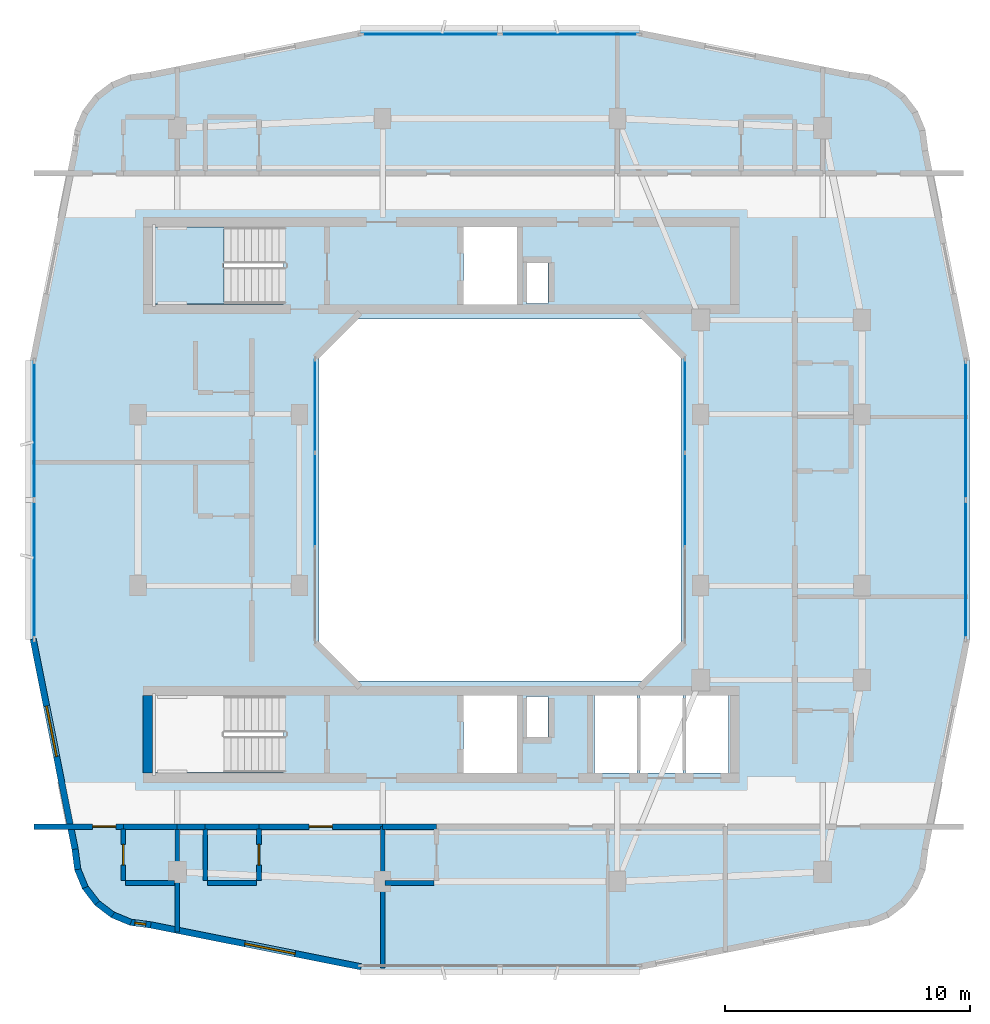
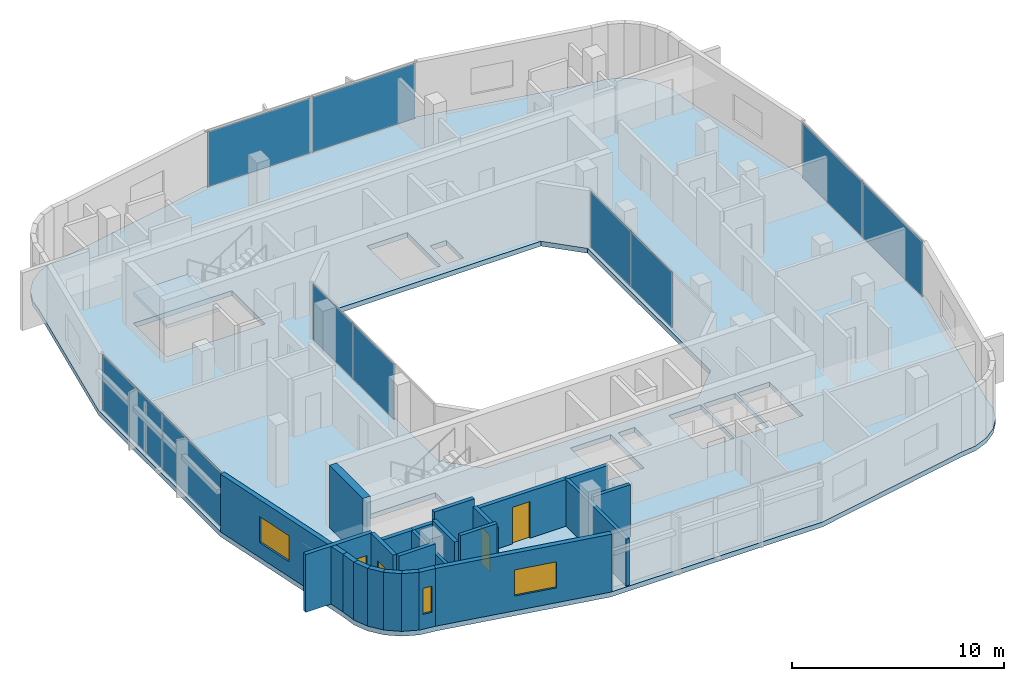
# One storey, part 6 of 14: 23 walls, 10 plates, 4 doors, 3 windows, 2 slabs, 7 openings, 6 elements without a shape of their own.
"""IFC4 building model written with IfcOpenShell, lengths in metres."""

from ifc_helpers import new_model, si_unit, derived_unit, direction, frame, frame_2d, origin, origin_2d, place, context, subcontext, project, spatial, polyline, rectangle, outline, extrude, material, layer, layer_set, type_object, element, fill, aggregate, save


model = new_model("IFC4")

# Units and contexts
model_context = context("Model", 3, precision=1e-05, world=origin(), true_north=direction((0.0, 1.0)))
body_context = subcontext(model_context, "Body", "Model", "MODEL_VIEW")
ifc_project = project(units=[si_unit("LENGTHUNIT", "METRE"), si_unit("AREAUNIT", "SQUARE_METRE"), si_unit("VOLUMEUNIT", "CUBIC_METRE"), si_unit("PLANEANGLEUNIT", "RADIAN"), si_unit("MASSUNIT", "GRAM", prefix="KILO"), derived_unit("THERMALTRANSMITTANCEUNIT", [(si_unit("POWERUNIT", "WATT"), 1), (si_unit("LENGTHUNIT", "METRE"), -2), (si_unit("THERMODYNAMICTEMPERATUREUNIT", "KELVIN"), -1)])], contexts=[model_context])

# Site, building, storey
site_placement = place(None, origin())
site = spatial("IfcSite", under=ifc_project, at=site_placement, CompositionType="ELEMENT")
building_placement = place(site_placement, origin())
building = spatial("IfcBuilding", under=site, at=building_placement, Name="Kivonza Crest Hotel", CompositionType="ELEMENT")
storey_placement = place(building_placement, frame((0.0, 0.0, 206.300048828125)))
storey = spatial("IfcBuildingStorey", under=building, at=storey_placement, Name="L56", CompositionType="ELEMENT", Elevation=206.300048828125)

# Curtain wall, plates
ifc_material_1 = material(Name="Anodised bronze aluminium and low-E double glazing", Category="aluminium")
ifc_layer_1 = layer(ifc_material_1, 0.159912109375)
ifc_layer_set_1 = layer_set([ifc_layer_1], Name="Anodised bronze aluminium and low-E double glazing")
curtain_wall_type_1 = type_object("IfcCurtainWallType", Name="CW-SYS-5", PredefinedType="NOTDEFINED", material=ifc_layer_set_1)
curtain_wall_1_placement = place(storey_placement, origin())
curtain_wall_1 = element("IfcCurtainWall", 1, at=curtain_wall_1_placement, inside=storey, type_object=curtain_wall_type_1, Name="L56 unitised curtain wall CW-WELL-T1-L56-3", PredefinedType="NOTDEFINED")
ifc_material_2 = material(Name="Solar-control low-E double glazing", Category="glass")
ifc_layer_2 = layer(ifc_material_2, 0.028076171875)
ifc_layer_set_2 = layer_set([ifc_layer_2], Name="Solar-control low-E double glazing")
plate_type_1 = type_object("IfcPlateType", Name="CW-PNL-28", PredefinedType="CURTAIN_PANEL", material=ifc_layer_set_2)
plate_1_placement = place(storey_placement, frame((28.56005859375, 25.0, 0.06494140625), z_axis=(0.0, 0.0, 1.0), x_axis=(0.0, 1.0, 0.0)))
plate_1 = element("IfcPlate", 2, at=plate_1_placement, type_object=plate_type_1, Name="CW-5 panel 2.1", PredefinedType="CURTAIN_PANEL", context=body_context, shape_type="SweptSolid", body=[
    extrude(rectangle(XDim=3.8017578125, YDim=0.028076171875, at=origin_2d()), origin(), (0.0, 0.0, 1.0), 3.18994140625),
])
plate_2_placement = place(storey_placement, frame((28.56005859375, 28.850341796875, 0.06494140625), z_axis=(0.0, 0.0, 1.0), x_axis=(0.0, 1.0, 0.0)))
plate_2 = element("IfcPlate", 3, at=plate_2_placement, type_object=plate_type_1, Name="CW-5 panel 3.1", PredefinedType="CURTAIN_PANEL", context=body_context, shape_type="SweptSolid", body=[
    extrude(rectangle(XDim=3.769287109375, YDim=0.028076171875, at=origin_2d()), origin(), (0.0, 0.0, 1.0), 3.18994140625),
])
aggregate(curtain_wall_1, [plate_1, plate_2])

curtain_wall_2_placement = place(storey_placement, origin())
curtain_wall_2 = element("IfcCurtainWall", 4, at=curtain_wall_2_placement, inside=storey, type_object=curtain_wall_type_1, Name="L56 unitised curtain wall CW-WELL-T1-L56-7", PredefinedType="NOTDEFINED")
plate_3_placement = place(storey_placement, frame((13.43994140625, 28.850341796875, 0.06494140625), z_axis=(0.0, 0.0, 1.0), x_axis=(0.0, -1.0, 0.0)))
plate_3 = element("IfcPlate", 5, at=plate_3_placement, type_object=plate_type_1, Name="CW-5 panel 1.1", PredefinedType="CURTAIN_PANEL", context=body_context, shape_type="SweptSolid", body=[
    extrude(rectangle(XDim=3.769287109375, YDim=0.028076171875, at=origin_2d()), origin(), (0.0, 0.0, 1.0), 3.18994140625),
])
plate_4_placement = place(storey_placement, frame((13.43994140625, 25.0, 0.06494140625), z_axis=(0.0, 0.0, 1.0), x_axis=(0.0, -1.0, 0.0)))
plate_4 = element("IfcPlate", 6, at=plate_4_placement, type_object=plate_type_1, Name="CW-5 panel 2.1", PredefinedType="CURTAIN_PANEL", context=body_context, shape_type="SweptSolid", body=[
    extrude(rectangle(XDim=3.8017578125, YDim=0.028076171875, at=origin_2d()), origin(), (0.0, 0.0, 1.0), 3.18994140625),
])
aggregate(curtain_wall_2, [plate_3, plate_4])

ifc_layer_3 = layer(ifc_material_1, 0.179931640625)
ifc_layer_set_3 = layer_set([ifc_layer_3], Name="Anodised bronze aluminium and low-E double glazing")
curtain_wall_type_2 = type_object("IfcCurtainWallType", Name="CW-SYS-3", PredefinedType="NOTDEFINED", material=ifc_layer_set_3)
curtain_wall_3_placement = place(storey_placement, origin())
curtain_wall_3 = element("IfcCurtainWall", 7, at=curtain_wall_3_placement, inside=storey, type_object=curtain_wall_type_2, Name="L56 unitised curtain wall CW-T1-L56-17", PredefinedType="NOTDEFINED")
ifc_material_3 = material(Name="Acoustic triple-laminated low-E glazing", Category="glass")
ifc_layer_4 = layer(ifc_material_3, 0.035888671875)
ifc_layer_set_4 = layer_set([ifc_layer_4], Name="Acoustic triple-laminated low-E glazing")
plate_type_2 = type_object("IfcPlateType", Name="CW-PNL-36", PredefinedType="CURTAIN_PANEL", material=ifc_layer_set_4)
plate_5_placement = place(storey_placement, frame((40.0400390625, 22.15869140625, 0.074951171875), z_axis=(0.0, 0.0, 1.0), x_axis=(0.0, 1.0, 0.0)))
plate_5 = element("IfcPlate", 8, at=plate_5_placement, type_object=plate_type_2, Name="CW-3 panel 1.1", PredefinedType="CURTAIN_PANEL", context=body_context, shape_type="SweptSolid", body=[
    extrude(rectangle(XDim=5.607421875, YDim=0.035888671875, at=origin_2d()), origin(), (0.0, 0.0, 1.0), 3.169921875),
])
plate_6_placement = place(storey_placement, frame((40.0400390625, 27.84130859375, 0.074951171875), z_axis=(0.0, 0.0, 1.0), x_axis=(0.0, 1.0, 0.0)))
plate_6 = element("IfcPlate", 9, at=plate_6_placement, type_object=plate_type_2, Name="CW-3 panel 2.1", PredefinedType="CURTAIN_PANEL", context=body_context, shape_type="SweptSolid", body=[
    extrude(rectangle(XDim=5.607421875, YDim=0.035888671875, at=origin_2d()), origin(), (0.0, 0.0, 1.0), 3.169921875),
])
aggregate(curtain_wall_3, [plate_5, plate_6])

curtain_wall_4_placement = place(storey_placement, origin())
curtain_wall_4 = element("IfcCurtainWall", 10, at=curtain_wall_4_placement, inside=storey, type_object=curtain_wall_type_2, Name="L56 unitised curtain wall CW-T1-L56-26", PredefinedType="NOTDEFINED")
plate_7_placement = place(storey_placement, frame((23.84130859375, 44.0400390625, 0.074951171875), z_axis=(0.0, 0.0, 1.0), x_axis=(-1.0, 0.0, 0.0)))
plate_7 = element("IfcPlate", 11, at=plate_7_placement, type_object=plate_type_2, Name="CW-3 panel 1.1", PredefinedType="CURTAIN_PANEL", context=body_context, shape_type="SweptSolid", body=[
    extrude(rectangle(XDim=5.607421875, YDim=0.035888671875, at=origin_2d()), origin(), (0.0, 0.0, 1.0), 3.169921875),
])
plate_8_placement = place(storey_placement, frame((18.15869140625, 44.0400390625, 0.074951171875), z_axis=(0.0, 0.0, 1.0), x_axis=(-1.0, 0.0, 0.0)))
plate_8 = element("IfcPlate", 12, at=plate_8_placement, type_object=plate_type_2, Name="CW-3 panel 2.1", PredefinedType="CURTAIN_PANEL", context=body_context, shape_type="SweptSolid", body=[
    extrude(rectangle(XDim=5.607421875, YDim=0.035888671875, at=origin_2d()), origin(), (0.0, 0.0, 1.0), 3.169921875),
])
aggregate(curtain_wall_4, [plate_7, plate_8])

curtain_wall_5_placement = place(storey_placement, origin())
curtain_wall_5 = element("IfcCurtainWall", 13, at=curtain_wall_5_placement, inside=storey, type_object=curtain_wall_type_2, Name="L56 unitised curtain wall CW-T1-L56-35", PredefinedType="NOTDEFINED")
plate_9_placement = place(storey_placement, frame((1.9599609375, 27.84130859375, 0.074951171875), z_axis=(0.0, 0.0, 1.0), x_axis=(0.0, -1.0, 0.0)))
plate_9 = element("IfcPlate", 14, at=plate_9_placement, type_object=plate_type_2, Name="CW-3 panel 1.1", PredefinedType="CURTAIN_PANEL", context=body_context, shape_type="SweptSolid", body=[
    extrude(rectangle(XDim=5.607421875, YDim=0.035888671875, at=origin_2d()), origin(), (0.0, 0.0, 1.0), 3.169921875),
])
plate_10_placement = place(storey_placement, frame((1.9599609375, 22.15869140625, 0.074951171875), z_axis=(0.0, 0.0, 1.0), x_axis=(0.0, -1.0, 0.0)))
plate_10 = element("IfcPlate", 15, at=plate_10_placement, type_object=plate_type_2, Name="CW-3 panel 2.1", PredefinedType="CURTAIN_PANEL", context=body_context, shape_type="SweptSolid", body=[
    extrude(rectangle(XDim=5.607421875, YDim=0.035888671875, at=origin_2d()), origin(), (0.0, 0.0, 1.0), 3.169921875),
])
aggregate(curtain_wall_5, [plate_9, plate_10])

# Slab
ifc_material_4 = material(Name="Concrete C40/50", Category="concrete")
ifc_layer_5 = layer(ifc_material_4, 0.280029296875)
ifc_layer_set_5 = layer_set([ifc_layer_5], Name="Concrete C40/50")
slab_type_1 = type_object("IfcSlabType", Name="SL-HTL-280", PredefinedType="FLOOR", material=ifc_layer_set_5)
slab_1_placement = place(storey_placement, frame((0.0, 0.0, -0.280029296875)))
element("IfcSlab", 16, at=slab_1_placement, inside=storey, type_object=slab_type_1, Name="Tower T1 L56 floor slab", PredefinedType="FLOOR", context=body_context, shape_type="SweptSolid", body=[
    extrude(outline(polyline([(3.5, 10.699951171875), (3.60888671875, 9.8720703125), (3.928955078125, 9.10009765625), (4.43701171875, 8.43701171875), (5.10009765625, 7.928955078125), (5.8720703125, 7.60888671875), (6.699951171875, 7.5), (15.239990234375, 5.800048828125), (26.760009765625, 5.800048828125), (35.300048828125, 7.5), (36.1279296875, 7.60888671875), (36.89990234375, 7.928955078125), (37.56298828125, 8.43701171875), (38.071044921875, 9.10009765625), (38.39111328125, 9.8720703125), (38.5, 10.699951171875), (40.199951171875, 19.239990234375), (40.199951171875, 30.760009765625), (38.5, 39.300048828125), (38.39111328125, 40.1279296875), (38.071044921875, 40.89990234375), (37.56298828125, 41.56298828125), (36.89990234375, 42.071044921875), (36.1279296875, 42.39111328125), (35.300048828125, 42.5), (26.760009765625, 44.199951171875), (15.239990234375, 44.199951171875), (6.699951171875, 42.5), (5.8720703125, 42.39111328125), (5.10009765625, 42.071044921875), (4.43701171875, 41.56298828125), (3.928955078125, 40.89990234375), (3.60888671875, 40.1279296875), (3.5, 39.300048828125), (1.800048828125, 30.760009765625), (1.800048828125, 19.239990234375), (3.5, 10.699951171875)]), holes=[polyline([(15.199951171875, 17.60009765625), (26.800048828125, 17.60009765625), (28.39990234375, 19.199951171875), (28.39990234375, 30.800048828125), (26.800048828125, 32.39990234375), (15.199951171875, 32.39990234375), (13.60009765625, 30.800048828125), (13.60009765625, 19.199951171875), (15.199951171875, 17.60009765625)]), polyline([(6.800048828125, 33.02001953125), (12.159912109375, 33.02001953125), (12.159912109375, 36.159912109375), (6.800048828125, 36.159912109375), (6.800048828125, 33.02001953125)]), polyline([(6.800048828125, 13.860107421875), (12.159912109375, 13.860107421875), (12.159912109375, 17.0), (6.800048828125, 17.0), (6.800048828125, 13.860107421875)]), polyline([(22.080078125, 33.0400390625), (22.969970703125, 33.0400390625), (22.969970703125, 34.679931640625), (22.080078125, 34.679931640625), (22.080078125, 33.0400390625)]), polyline([(22.080078125, 15.320068359375), (22.969970703125, 15.320068359375), (22.969970703125, 16.9599609375), (22.080078125, 16.9599609375), (22.080078125, 15.320068359375)]), polyline([(19.5, 33.0), (21.699951171875, 33.0), (21.699951171875, 36.159912109375), (19.5, 36.159912109375), (19.5, 33.0)]), polyline([(19.5, 13.840087890625), (21.699951171875, 13.840087890625), (21.699951171875, 17.0), (19.5, 17.0), (19.5, 13.840087890625)]), polyline([(24.860107421875, 13.840087890625), (26.60693359375, 13.840087890625), (26.60693359375, 17.0), (24.860107421875, 17.0), (24.860107421875, 13.840087890625)]), polyline([(26.72705078125, 13.840087890625), (28.472900390625, 13.840087890625), (28.472900390625, 17.0), (26.72705078125, 17.0), (26.72705078125, 13.840087890625)]), polyline([(28.593017578125, 13.840087890625), (30.340087890625, 13.840087890625), (30.340087890625, 17.0), (28.593017578125, 17.0), (28.593017578125, 13.840087890625)])]), origin(), (0.0, 0.0, 1.0), 0.280029296875),
])

# Stair, slab
stair_type = type_object("IfcStairType", Name="ST-DL-20R", PredefinedType="HALF_TURN_STAIR", material=ifc_material_4)
stair_placement = place(storey_placement, origin())
stair = element("IfcStair", 17, at=stair_placement, inside=storey, type_object=stair_type, Name="L56 Protected Exit Stair ST-T1-N", PredefinedType="HALF_TURN_STAIR")
ifc_layer_6 = layer(ifc_material_4, 0.199951171875)
ifc_layer_set_6 = layer_set([ifc_layer_6], Name="Concrete C40/50")
slab_type_2 = type_object("IfcSlabType", Name="SL-LAND-200", PredefinedType="LANDING", material=ifc_layer_set_6)
slab_2_placement = place(storey_placement, frame((0.0, 0.0, 1.599853515625)))
slab_2 = element("IfcSlab", 18, at=slab_2_placement, type_object=slab_type_2, Name="ST-T1-N landing 1", PredefinedType="LANDING", context=body_context, shape_type="SweptSolid", body=[
    extrude(outline(polyline([(9.719970703125, 36.159912109375), (6.800048828125, 36.159912109375), (6.800048828125, 33.02001953125), (9.719970703125, 33.02001953125), (9.719970703125, 36.159912109375)])), origin(), (0.0, 0.0, 1.0), 0.2001953125),
])
aggregate(stair, [slab_2])

# Walls
ifc_material_5 = material(Name="High-density acoustic masonry inter-tenancy wall", Category="masonry")
ifc_layer_7 = layer(ifc_material_5, 0.179931640625)
ifc_layer_set_7 = layer_set([ifc_layer_7], Name="High-density acoustic masonry inter-tenancy wall")
wall_type_1 = type_object("IfcWallType", Name="WL-ACOU-180", PredefinedType="SOLIDWALL", material=ifc_layer_set_7)
wall_1_placement = place(storey_placement, frame((7.800048828125, 7.342041015625, 0.0), z_axis=(0.0, 0.0, 1.0), x_axis=(0.0, 1.0, 0.0)))
element("IfcWall", 19, at=wall_1_placement, inside=storey, type_object=wall_type_1, Name="L56 interior partition WA-L56-T1S-DIV1", PredefinedType="SOLIDWALL", context=body_context, shape_type="SweptSolid", body=[
    extrude(rectangle(XDim=4.307861328125, YDim=0.179931640625, at=frame_2d((2.15380859375, 0.0))), origin(), (0.0, 0.0, 1.0), 2.695068359375),
])
wall_2_placement = place(storey_placement, frame((16.199951171875, 5.860107421875, 0.0), z_axis=(0.0, 0.0, 1.0), x_axis=(0.0, 1.0, 0.0)))
element("IfcWall", 20, at=wall_2_placement, inside=storey, type_object=wall_type_1, Name="L56 interior partition WA-L56-T1S-DIV2", PredefinedType="SOLIDWALL", context=body_context, shape_type="SweptSolid", body=[
    extrude(rectangle(XDim=5.789794921875, YDim=0.179931640625, at=frame_2d((2.89501953125, 0.0))), origin(), (0.0, 0.0, 1.0), 2.695068359375),
])
ifc_material_6 = material(Name="Autoclaved aerated concrete blockwork", Category="masonry")
ifc_layer_8 = layer(ifc_material_6, 0.219970703125)
ifc_layer_set_8 = layer_set([ifc_layer_8], Name="Autoclaved aerated concrete blockwork")
wall_type_2 = type_object("IfcWallType", Name="WL-ACOU-220", PredefinedType="SOLIDWALL", material=ifc_layer_set_8)
wall_3_placement = place(storey_placement, frame((5.60009765625, 11.64990234375, 0.0), z_axis=(0.0, 0.0, 1.0), x_axis=(1.0, 0.0, 0.0)))
element("IfcWall", 21, at=wall_3_placement, inside=storey, type_object=wall_type_2, Name="L56 interior partition WA-L56-S04-BCORR", PredefinedType="SOLIDWALL", context=body_context, shape_type="SweptSolid", body=[
    extrude(rectangle(XDim=2.199951171875, YDim=0.219970703125, at=frame_2d((1.10009765625, 0.0))), origin(), (0.0, 0.0, 1.0), 2.695068359375),
])

# Wall, opening, door
wall_4_placement = place(storey_placement, frame((1.9599609375, 11.64990234375, 0.0), z_axis=(0.0, 0.0, 1.0), x_axis=(1.0, 0.0, 0.0)))
wall_4 = element("IfcWall", 22, at=wall_4_placement, inside=storey, type_object=wall_type_2, Name="L56 interior partition WA-L56-S04-MCORR", PredefinedType="SOLIDWALL", context=body_context, shape_type="SweptSolid", body=[
    extrude(rectangle(XDim=3.64013671875, YDim=0.219970703125, at=frame_2d((1.820068359375, 0.0))), origin(), (0.0, 0.0, 1.0), 3.320068359375),
])
opening_1_placement = place(wall_4_placement, frame((2.389892578125, 0.0, 0.0)))
opening_1 = element("IfcOpeningElement", 23, at=opening_1_placement, cuts=wall_4, Name="Opening DU-60", PredefinedType="OPENING", context=body_context, shape_type="SweptSolid", body=[
    extrude(rectangle(XDim=0.949951171875, YDim=2.10009765625, at=frame_2d((0.47509765625, 1.050048828125))), frame((0.0, 0.1201171875, 0.0), z_axis=(0.0, -1.0, 0.0), x_axis=(1.0, 0.0, 0.0)), (0.0, 0.0, 1.0), 0.239990234375),
])
ifc_material_7 = material(Name="Hardwood timber oak", Category="wood")
door_type_1 = type_object("IfcDoorType", Name="DR-UNIT-950", OperationType="NOTDEFINED", PredefinedType="DOOR", material=ifc_material_7)
door_1_placement = place(opening_1_placement, frame((0.949951171875, 0.0, 0.0), z_axis=(0.0, 0.0, 1.0), x_axis=(-1.0, 0.0, 0.0)))
door_1 = element("IfcDoor", 24, at=door_1_placement, inside=storey, type_object=door_type_1, Name="L56 S04 guest unit entrance fire door", OperationType="SINGLE_SWING_RIGHT", OverallHeight=2.10009765625, OverallWidth=0.949951171875, PredefinedType="DOOR", context=body_context, shape_type="SweptSolid", body=[
    extrude(rectangle(XDim=0.949951171875, YDim=2.10009765625, at=frame_2d((0.47509765625, 1.050048828125))), frame((0.0, 0.02490234375, 0.0), z_axis=(0.0, -1.0, 0.0), x_axis=(1.0, 0.0, 0.0)), (0.0, 0.0, 1.0), 0.050048828125),
])
fill(opening_1, door_1)

# Walls
wall_5_placement = place(storey_placement, frame((7.800048828125, 11.64990234375, 0.0), z_axis=(0.0, 0.0, 1.0), x_axis=(1.0, 0.0, 0.0)))
element("IfcWall", 25, at=wall_5_placement, inside=storey, type_object=wall_type_2, Name="L56 interior partition WA-L56-S05-XCORR", PredefinedType="SOLIDWALL", context=body_context, shape_type="SweptSolid", body=[
    extrude(rectangle(XDim=1.14990234375, YDim=0.219970703125, at=frame_2d((0.574951171875, 0.0))), origin(), (0.0, 0.0, 1.0), 2.695068359375),
])
wall_6_placement = place(storey_placement, frame((8.949951171875, 11.64990234375, 0.0), z_axis=(0.0, 0.0, 1.0), x_axis=(1.0, 0.0, 0.0)))
element("IfcWall", 26, at=wall_6_placement, inside=storey, type_object=wall_type_2, Name="L56 interior partition WA-L56-S05-BCORR", PredefinedType="SOLIDWALL", context=body_context, shape_type="SweptSolid", body=[
    extrude(rectangle(XDim=2.199951171875, YDim=0.219970703125, at=frame_2d((1.10009765625, 0.0))), origin(), (0.0, 0.0, 1.0), 3.320068359375),
])

# Wall, opening, door
wall_7_placement = place(storey_placement, frame((11.14990234375, 11.64990234375, 0.0), z_axis=(0.0, 0.0, 1.0), x_axis=(1.0, 0.0, 0.0)))
wall_7 = element("IfcWall", 27, at=wall_7_placement, inside=storey, type_object=wall_type_2, Name="L56 interior partition WA-L56-S05-MCORR", PredefinedType="SOLIDWALL", context=body_context, shape_type="SweptSolid", body=[
    extrude(rectangle(XDim=5.050048828125, YDim=0.219970703125, at=frame_2d((2.52490234375, 0.0))), origin(), (0.0, 0.0, 1.0), 2.695068359375),
])
opening_2_placement = place(wall_7_placement, frame((2.050048828125, 0.0, 0.0)))
opening_2 = element("IfcOpeningElement", 28, at=opening_2_placement, cuts=wall_7, Name="Opening DU-60", PredefinedType="OPENING", context=body_context, shape_type="SweptSolid", body=[
    extrude(rectangle(XDim=0.949951171875, YDim=2.10009765625, at=frame_2d((0.47509765625, 1.050048828125))), frame((0.0, 0.1201171875, 0.0), z_axis=(0.0, -1.0, 0.0), x_axis=(1.0, 0.0, 0.0)), (0.0, 0.0, 1.0), 0.239990234375),
])
door_2_placement = place(opening_2_placement, frame((0.949951171875, 0.0, 0.0), z_axis=(0.0, 0.0, 1.0), x_axis=(-1.0, 0.0, 0.0)))
door_2 = element("IfcDoor", 29, at=door_2_placement, inside=storey, type_object=door_type_1, Name="L56 S05 guest unit entrance fire door", OperationType="SINGLE_SWING_LEFT", OverallHeight=2.10009765625, OverallWidth=0.949951171875, PredefinedType="DOOR", context=body_context, shape_type="SweptSolid", body=[
    extrude(rectangle(XDim=0.949951171875, YDim=2.10009765625, at=frame_2d((0.47509765625, 1.050048828125))), frame((0.0, 0.02490234375, 0.0), z_axis=(0.0, -1.0, 0.0), x_axis=(1.0, 0.0, 0.0)), (0.0, 0.0, 1.0), 0.050048828125),
])
fill(opening_2, door_2)

# Walls
wall_8_placement = place(storey_placement, frame((16.199951171875, 11.64990234375, 0.0), z_axis=(0.0, 0.0, 1.0), x_axis=(1.0, 0.0, 0.0)))
element("IfcWall", 30, at=wall_8_placement, inside=storey, type_object=wall_type_2, Name="L56 interior partition WA-L56-S06-BCORR", PredefinedType="SOLIDWALL", context=body_context, shape_type="SweptSolid", body=[
    extrude(rectangle(XDim=2.199951171875, YDim=0.219970703125, at=frame_2d((1.10009765625, 0.0))), origin(), (0.0, 0.0, 1.0), 2.695068359375),
])
ifc_material_8 = material(Name="Concrete C50/60", Category="concrete")
ifc_layer_9 = layer(ifc_material_8, 0.39990234375)
ifc_layer_set_9 = layer_set([ifc_layer_9], Name="Concrete C50/60")
wall_type_3 = type_object("IfcWallType", Name="WL-CORE-400", PredefinedType="SHEAR", material=ifc_layer_set_9)
wall_9_placement = place(storey_placement, frame((6.60009765625, 13.840087890625, 0.0), z_axis=(0.0, 0.0, 1.0), x_axis=(0.0, 1.0, 0.0)))
element("IfcWall", 31, at=wall_9_placement, inside=storey, type_object=wall_type_3, Name="Core wall T1-S West L56", PredefinedType="SHEAR", context=body_context, shape_type="SweptSolid", body=[
    extrude(rectangle(XDim=3.159912109375, YDim=0.39990234375, at=frame_2d((1.580078125, 0.0))), origin(), (0.0, 0.0, 1.0), 3.599853515625),
])
ifc_material_9 = material(Name="Precast concrete C40/50", Category="concrete")
ifc_layer_10 = layer(ifc_material_9, 0.260009765625)
ifc_layer_set_10 = layer_set([ifc_layer_10], Name="Precast concrete C40/50")
wall_type_4 = type_object("IfcWallType", Name="WL-EXT-260", PredefinedType="STANDARD", material=ifc_layer_set_10)
wall_10_placement = place(storey_placement, frame((3.6279296875, 10.72509765625, 0.0), z_axis=(0.0, 0.0, 1.0), x_axis=(0.130954667764, -0.9913883573, 0.0)))
element("IfcWall", 32, at=wall_10_placement, inside=storey, type_object=wall_type_4, Name="L56 T1 exterior insulated wall 1", PredefinedType="STANDARD", context=body_context, shape_type="SweptSolid", body=[
    extrude(rectangle(XDim=0.833251953125, YDim=0.260009765625, at=frame_2d((0.41650390625, 0.0))), origin(), (0.0, 0.0, 1.0), 3.320068359375),
])
wall_11_placement = place(storey_placement, frame((3.718994140625, 9.945068359375, 0.0), z_axis=(0.0, 0.0, 1.0), x_axis=(0.382985169477, -0.923754491172, 0.0)))
element("IfcWall", 33, at=wall_11_placement, inside=storey, type_object=wall_type_4, Name="L56 T1 exterior insulated wall 2", PredefinedType="STANDARD", context=body_context, shape_type="SweptSolid", body=[
    extrude(rectangle(XDim=0.85107421875, YDim=0.260009765625, at=frame_2d((0.425537109375, 0.0))), origin(), (0.0, 0.0, 1.0), 3.320068359375),
])
for number, where, z_axis, x_axis, name in (
    (34, (4.01708984375, 9.198974609375, 0.0), (0.0, 0.0, 1.0), (0.607918988881, -0.793999057278, 0.0), "L56 T1 exterior insulated wall 3"),
    (35, (4.49609375, 8.554931640625, 0.0), (0.0, 0.0, 1.0), (0.793892896323, -0.608057619941, 0.0), "L56 T1 exterior insulated wall 4"),
):
    element("IfcWall", number, at=place(storey_placement, frame(where, z_axis=z_axis, x_axis=x_axis)), inside=storey, type_object=wall_type_4, Name=name, PredefinedType="STANDARD", context=body_context, shape_type="SweptSolid", body=[
        extrude(rectangle(XDim=0.85009765625, YDim=0.260009765625, at=frame_2d((0.425048828125, 0.0))), origin(), (0.0, 0.0, 1.0), 3.320068359375),
    ])
wall_12_placement = place(storey_placement, frame((5.126953125, 8.05908203125, 0.0), z_axis=(0.0, 0.0, 1.0), x_axis=(0.923652976167, -0.383229930484, 0.0)))
element("IfcWall", 36, at=wall_12_placement, inside=storey, type_object=wall_type_4, Name="L56 T1 exterior insulated wall 5", PredefinedType="STANDARD", context=body_context, shape_type="SweptSolid", body=[
    extrude(rectangle(XDim=0.85107421875, YDim=0.260009765625, at=frame_2d((0.425537109375, 0.0))), origin(), (0.0, 0.0, 1.0), 3.320068359375),
])

# Wall, opening, window
wall_13_placement = place(storey_placement, frame((5.864013671875, 7.740966796875, 0.0), z_axis=(0.0, 0.0, 1.0), x_axis=(0.991493480548, -0.130156359936, 0.0)))
wall_13 = element("IfcWall", 37, at=wall_13_placement, inside=storey, type_object=wall_type_4, Name="L56 T1 exterior insulated wall 6", PredefinedType="STANDARD", context=body_context, shape_type="SweptSolid", body=[
    extrude(rectangle(XDim=0.868408203125, YDim=0.260009765625, at=frame_2d((0.43408203125, 0.0))), origin(), (0.0, 0.0, 1.0), 3.320068359375),
])
opening_3_placement = place(wall_13_placement, frame((0.208984375, 0.0, 0.85009765625)))
opening_3 = element("IfcOpeningElement", 38, at=opening_3_placement, cuts=wall_13, Name="Opening WN-11", PredefinedType="OPENING", context=body_context, shape_type="SweptSolid", body=[
    extrude(rectangle(XDim=0.449951171875, YDim=1.5, at=frame_2d((0.22509765625, 0.75))), frame((0.0, 0.14013671875, 0.0), z_axis=(0.0, -1.0, 0.0), x_axis=(1.0, 0.0, 0.0)), (0.0, 0.0, 1.0), 0.280029296875),
])
ifc_material_10 = material(Name="Thermally broken bronze aluminium and low-E double glazing", Category="aluminium")
window_type_1 = type_object("IfcWindowType", Name="WN-045x150", PartitioningType="SINGLE_PANEL", PredefinedType="WINDOW", material=ifc_material_10)
window_1_placement = place(opening_3_placement, origin())
window_1 = element("IfcWindow", 39, at=window_1_placement, inside=storey, type_object=window_type_1, Name="L56 corner vision window 2", OverallHeight=1.5, OverallWidth=0.449951171875, PartitioningType="SINGLE_PANEL", PredefinedType="WINDOW", context=body_context, shape_type="SweptSolid", body=[
    extrude(rectangle(XDim=0.449951171875, YDim=1.5, at=frame_2d((0.22509765625, 0.75))), frame((0.0, 0.030029296875, 0.0), z_axis=(0.0, -1.0, 0.0), x_axis=(1.0, 0.0, 0.0)), (0.0, 0.0, 1.0), 0.06005859375),
])
fill(opening_3, window_1)

wall_14_placement = place(storey_placement, frame((6.717041015625, 7.62890625, 0.0), z_axis=(0.0, 0.0, 1.0), x_axis=(0.980745199176, -0.195291715883, 0.0)))
wall_14 = element("IfcWall", 40, at=wall_14_placement, inside=storey, type_object=wall_type_4, Name="L56 T1 exterior insulated wall 7", PredefinedType="STANDARD", context=body_context, shape_type="SweptSolid", body=[
    extrude(rectangle(XDim=8.77099609375, YDim=0.260009765625, at=frame_2d((4.385498046875, 0.0))), origin(), (0.0, 0.0, 1.0), 3.320068359375),
])
opening_4_placement = place(wall_14_placement, frame((3.925048828125, 0.0, 0.85009765625)))
opening_4 = element("IfcOpeningElement", 41, at=opening_4_placement, cuts=wall_14, Name="Opening WN-04", PredefinedType="OPENING", context=body_context, shape_type="SweptSolid", body=[
    extrude(rectangle(XDim=2.10009765625, YDim=1.5, at=frame_2d((1.050048828125, 0.75))), frame((0.0, 0.14013671875, 0.0), z_axis=(0.0, -1.0, 0.0), x_axis=(1.0, 0.0, 0.0)), (0.0, 0.0, 1.0), 0.280029296875),
])
window_type_2 = type_object("IfcWindowType", Name="WN-210x150", PartitioningType="DOUBLE_PANEL_VERTICAL", PredefinedType="WINDOW", material=ifc_material_10)
window_2_placement = place(opening_4_placement, origin())
window_2 = element("IfcWindow", 42, at=window_2_placement, inside=storey, type_object=window_type_2, Name="L56 T1 facade window 7", OverallHeight=1.5, OverallWidth=2.10009765625, PartitioningType="SINGLE_PANEL", PredefinedType="WINDOW", context=body_context, shape_type="SweptSolid", body=[
    extrude(rectangle(XDim=2.10009765625, YDim=1.5, at=frame_2d((1.050048828125, 0.75))), frame((0.0, 0.030029296875, 0.0), z_axis=(0.0, -1.0, 0.0), x_axis=(1.0, 0.0, 0.0)), (0.0, 0.0, 1.0), 0.06005859375),
])
fill(opening_4, window_2)

wall_15_placement = place(storey_placement, frame((1.916015625, 19.319091796875, 0.0), z_axis=(0.0, 0.0, 1.0), x_axis=(0.195291715883, -0.980745199176, 0.0)))
wall_15 = element("IfcWall", 43, at=wall_15_placement, inside=storey, type_object=wall_type_4, Name="L56 T1 exterior insulated wall 36", PredefinedType="STANDARD", context=body_context, shape_type="SweptSolid", body=[
    extrude(rectangle(XDim=8.77099609375, YDim=0.260009765625, at=frame_2d((4.385498046875, 0.0))), origin(), (0.0, 0.0, 1.0), 3.320068359375),
])
opening_5_placement = place(wall_15_placement, frame((2.798095703125, 0.0, 0.85009765625)))
opening_5 = element("IfcOpeningElement", 44, at=opening_5_placement, cuts=wall_15, Name="Opening WN-04", PredefinedType="OPENING", context=body_context, shape_type="SweptSolid", body=[
    extrude(rectangle(XDim=2.10009765625, YDim=1.5, at=frame_2d((1.050048828125, 0.75))), frame((0.0, 0.14013671875, 0.0), z_axis=(0.0, -1.0, 0.0), x_axis=(1.0, 0.0, 0.0)), (0.0, 0.0, 1.0), 0.280029296875),
])
window_3_placement = place(opening_5_placement, origin())
window_3 = element("IfcWindow", 45, at=window_3_placement, inside=storey, type_object=window_type_2, Name="L56 T1 facade window 36", OverallHeight=1.5, OverallWidth=2.10009765625, PartitioningType="SINGLE_PANEL", PredefinedType="WINDOW", context=body_context, shape_type="SweptSolid", body=[
    extrude(rectangle(XDim=2.10009765625, YDim=1.5, at=frame_2d((1.050048828125, 0.75))), frame((0.0, 0.030029296875, 0.0), z_axis=(0.0, -1.0, 0.0), x_axis=(1.0, 0.0, 0.0)), (0.0, 0.0, 1.0), 0.06005859375),
])
fill(opening_5, window_3)

# Wall, opening, door
ifc_material_11 = material(Name="Moisture-resistant plumbing chase partition wall", Category="gypsum")
ifc_layer_11 = layer(ifc_material_11, 0.199951171875)
ifc_layer_set_11 = layer_set([ifc_layer_11], Name="Moisture-resistant plumbing chase partition wall")
wall_type_5 = type_object("IfcWallType", Name="WL-PLUMB-200", PredefinedType="PLUMBINGWALL", material=ifc_layer_set_11)
wall_16_placement = place(storey_placement, frame((5.60009765625, 9.449951171875, 0.0), z_axis=(0.0, 0.0, 1.0), x_axis=(0.0, 1.0, 0.0)))
wall_16 = element("IfcWall", 46, at=wall_16_placement, inside=storey, type_object=wall_type_5, Name="L56 interior partition WW-L56-S04-BV", PredefinedType="PLUMBINGWALL", context=body_context, shape_type="SweptSolid", body=[
    extrude(rectangle(XDim=2.10009765625, YDim=0.199951171875, at=frame_2d((1.050048828125, 0.0))), origin(), (0.0, 0.0, 1.0), 3.320068359375),
])
opening_6_placement = place(wall_16_placement, frame((0.625, 0.0, 0.0)))
opening_6 = element("IfcOpeningElement", 47, at=opening_6_placement, cuts=wall_16, Name="Opening DI-85", PredefinedType="OPENING", context=body_context, shape_type="SweptSolid", body=[
    extrude(rectangle(XDim=0.85009765625, YDim=2.10009765625, at=frame_2d((0.425048828125, 1.050048828125))), frame((0.0, 0.10986328125, 0.0), z_axis=(0.0, -1.0, 0.0), x_axis=(1.0, 0.0, 0.0)), (0.0, 0.0, 1.0), 0.219970703125),
])
door_type_2 = type_object("IfcDoorType", Name="DR-INT-850", OperationType="NOTDEFINED", PredefinedType="DOOR", material=ifc_material_7)
door_3_placement = place(opening_6_placement, origin())
door_3 = element("IfcDoor", 48, at=door_3_placement, inside=storey, type_object=door_type_2, Name="L56 S04 en-suite bathroom door", OperationType="SINGLE_SWING_LEFT", OverallHeight=2.10009765625, OverallWidth=0.85009765625, PredefinedType="DOOR", context=body_context, shape_type="SweptSolid", body=[
    extrude(rectangle(XDim=0.85009765625, YDim=2.10009765625, at=frame_2d((0.425048828125, 1.050048828125))), frame((0.0, 0.02490234375, 0.0), z_axis=(0.0, -1.0, 0.0), x_axis=(1.0, 0.0, 0.0)), (0.0, 0.0, 1.0), 0.050048828125),
])
fill(opening_6, door_3)

# Wall
wall_17_placement = place(storey_placement, frame((5.699951171875, 9.35009765625, 0.0), z_axis=(0.0, 0.0, 1.0), x_axis=(1.0, 0.0, 0.0)))
element("IfcWall", 49, at=wall_17_placement, inside=storey, type_object=wall_type_5, Name="L56 interior partition WW-L56-S04-BH", PredefinedType="PLUMBINGWALL", context=body_context, shape_type="SweptSolid", body=[
    extrude(rectangle(XDim=2.0, YDim=0.199951171875, at=frame_2d((1.0, 0.0))), origin(), (0.0, 0.0, 1.0), 3.320068359375),
])

# Wall, opening, door
wall_18_placement = place(storey_placement, frame((11.14990234375, 9.449951171875, 0.0), z_axis=(0.0, 0.0, 1.0), x_axis=(0.0, 1.0, 0.0)))
wall_18 = element("IfcWall", 50, at=wall_18_placement, inside=storey, type_object=wall_type_5, Name="L56 interior partition WW-L56-S05-BV", PredefinedType="PLUMBINGWALL", context=body_context, shape_type="SweptSolid", body=[
    extrude(rectangle(XDim=2.10009765625, YDim=0.199951171875, at=frame_2d((1.050048828125, 0.0))), origin(), (0.0, 0.0, 1.0), 2.89501953125),
])
opening_7_placement = place(wall_18_placement, frame((0.625, 0.0, 0.0)))
opening_7 = element("IfcOpeningElement", 51, at=opening_7_placement, cuts=wall_18, Name="Opening DI-85", PredefinedType="OPENING", context=body_context, shape_type="SweptSolid", body=[
    extrude(rectangle(XDim=0.85009765625, YDim=2.10009765625, at=frame_2d((0.425048828125, 1.050048828125))), frame((0.0, 0.10986328125, 0.0), z_axis=(0.0, -1.0, 0.0), x_axis=(1.0, 0.0, 0.0)), (0.0, 0.0, 1.0), 0.219970703125),
])
door_4_placement = place(opening_7_placement, frame((0.85009765625, 0.0, 0.0), z_axis=(0.0, 0.0, 1.0), x_axis=(-1.0, 0.0, 0.0)))
door_4 = element("IfcDoor", 52, at=door_4_placement, inside=storey, type_object=door_type_2, Name="L56 S05 en-suite bathroom door", OperationType="SINGLE_SWING_RIGHT", OverallHeight=2.10009765625, OverallWidth=0.85009765625, PredefinedType="DOOR", context=body_context, shape_type="SweptSolid", body=[
    extrude(rectangle(XDim=0.85009765625, YDim=2.10009765625, at=frame_2d((0.425048828125, 1.050048828125))), frame((0.0, 0.02490234375, 0.0), z_axis=(0.0, -1.0, 0.0), x_axis=(1.0, 0.0, 0.0)), (0.0, 0.0, 1.0), 0.050048828125),
])
fill(opening_7, door_4)

# Walls
wall_19_placement = place(storey_placement, frame((9.050048828125, 9.35009765625, 0.0), z_axis=(0.0, 0.0, 1.0), x_axis=(1.0, 0.0, 0.0)))
element("IfcWall", 53, at=wall_19_placement, inside=storey, type_object=wall_type_5, Name="L56 interior partition WW-L56-S05-BH", PredefinedType="PLUMBINGWALL", context=body_context, shape_type="SweptSolid", body=[
    extrude(rectangle(XDim=2.0, YDim=0.199951171875, at=frame_2d((1.0, 0.0))), origin(), (0.0, 0.0, 1.0), 3.320068359375),
])
wall_20_placement = place(storey_placement, frame((8.949951171875, 9.449951171875, 0.0), z_axis=(0.0, 0.0, 1.0), x_axis=(0.0, 1.0, 0.0)))
element("IfcWall", 54, at=wall_20_placement, inside=storey, type_object=wall_type_5, Name="L56 interior partition WW-L56-S05-BVW", PredefinedType="PLUMBINGWALL", context=body_context, shape_type="SweptSolid", body=[
    extrude(rectangle(XDim=2.10009765625, YDim=0.199951171875, at=frame_2d((1.050048828125, 0.0))), origin(), (0.0, 0.0, 1.0), 2.89501953125),
])
wall_21_placement = place(storey_placement, frame((16.300048828125, 9.35009765625, 0.0), z_axis=(0.0, 0.0, 1.0), x_axis=(1.0, 0.0, 0.0)))
element("IfcWall", 55, at=wall_21_placement, inside=storey, type_object=wall_type_5, Name="L56 interior partition WW-L56-S06-BH", PredefinedType="PLUMBINGWALL", context=body_context, shape_type="SweptSolid", body=[
    extrude(rectangle(XDim=2.0, YDim=0.199951171875, at=frame_2d((1.0, 0.0))), origin(), (0.0, 0.0, 1.0), 3.014892578125),
])

save(model, "model.ifc")
